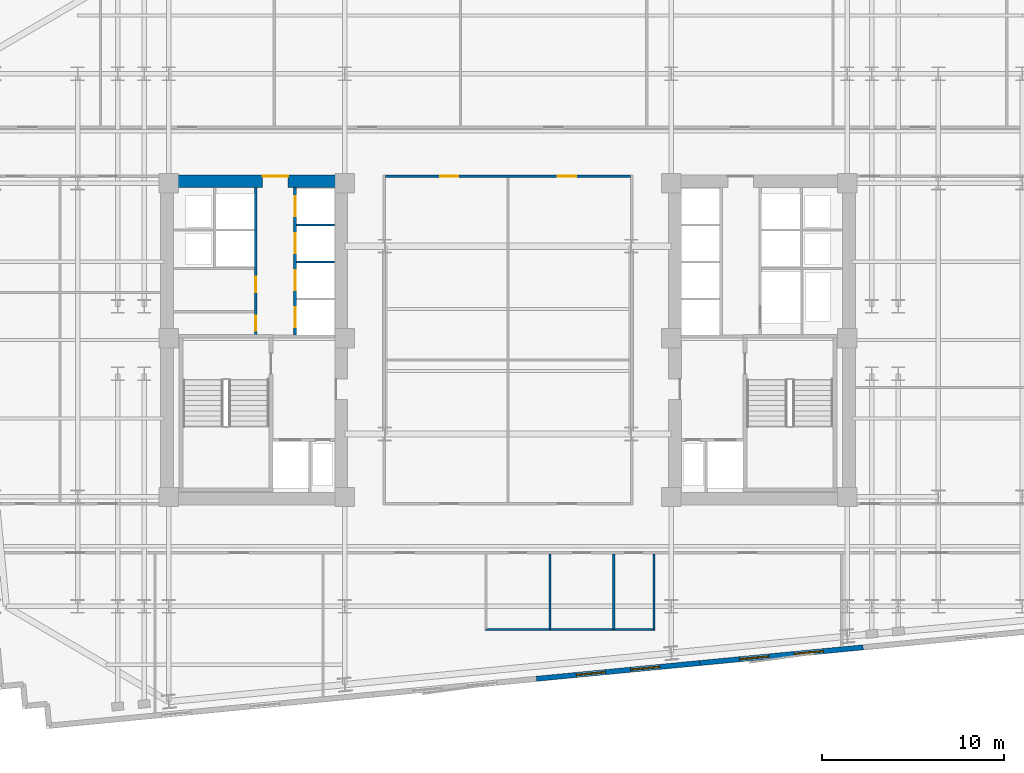
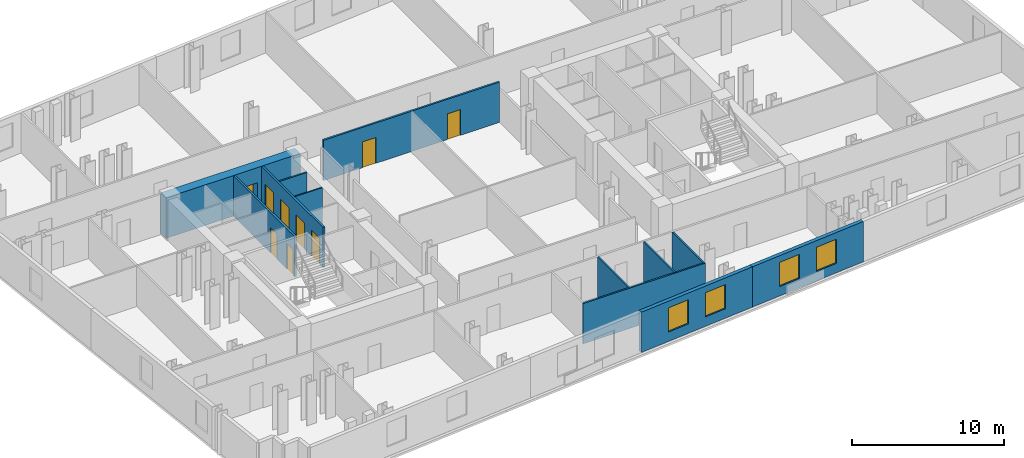
# One storey, part 5 of 11: 12 walls, 9 doors, 4 windows, 13 openings.
"""IFC4 building model written with IfcOpenShell, lengths in metres."""

from ifc_helpers import new_model, si_unit, direction, frame, frame_2d, origin, place, context, subcontext, project, spatial, rectangle, extrude, material, layer, layer_set, type_object, element, fill, save


model = new_model("IFC4")

# Units and contexts
model_context = context("Model", 3, precision=1e-05, world=origin(), true_north=direction((0.0, 1.0)))
body_context = subcontext(model_context, "Body", "Model", "MODEL_VIEW")
ifc_project = project(units=[si_unit("LENGTHUNIT", "METRE"), si_unit("AREAUNIT", "SQUARE_METRE"), si_unit("VOLUMEUNIT", "CUBIC_METRE"), si_unit("PLANEANGLEUNIT", "RADIAN"), si_unit("MASSUNIT", "GRAM", prefix="KILO")], contexts=[model_context])

# Site, building, storey
site_placement = place(None, origin())
site = spatial("IfcSite", under=ifc_project, at=site_placement, CompositionType="ELEMENT")
building_placement = place(site_placement, origin())
building = spatial("IfcBuilding", under=site, at=building_placement, Name="Velakula Bourse", CompositionType="ELEMENT")
storey_placement = place(building_placement, frame((0.0, 0.0, 101.800048828125)))
storey = spatial("IfcBuildingStorey", under=building, at=storey_placement, Name="L27", CompositionType="ELEMENT", Elevation=101.800048828125)

# Wall, opening, door
ifc_material_1 = material(Name="Concrete M70 (fck 70 MPa)", Category="concrete")
ifc_layer_1 = layer(ifc_material_1, 0.699951171875, Name="Concrete M70 (fck 70 MPa)", Category="concrete")
ifc_layer_set_1 = layer_set([ifc_layer_1], Name="Concrete M70 (fck 70 MPa)")
wall_type_1 = type_object("IfcWallType", Name="WL-CORE-700", PredefinedType="SHEAR", material=ifc_layer_set_1)
wall_1_placement = place(storey_placement, frame((-19.050048828125, 8.699951171875, 0.0), z_axis=(0.0, 0.0, 1.0), x_axis=(1.0, 0.0, 0.0)))
wall_1 = element("IfcWall", 1, at=wall_1_placement, inside=storey, type_object=wall_type_1, Name="L27 Core W Shear Wall N", PredefinedType="SHEAR", context=body_context, shape_type="SweptSolid", body=[
    extrude(rectangle(XDim=10.25, YDim=0.699951171875, at=frame_2d((5.125, 0.0))), origin(), (0.0, 0.0, 1.0), 3.27001953125),
])
opening_1_placement = place(wall_1_placement, frame((5.60009765625, 0.0, 0.0)))
opening_1 = element("IfcOpeningElement", 2, at=opening_1_placement, cuts=wall_1, Name="Opening D-LLW", PredefinedType="OPENING", context=body_context, shape_type="SweptSolid", body=[
    extrude(rectangle(XDim=1.39990234375, YDim=2.050048828125, at=frame_2d((0.699951171875, 1.02490234375))), frame((0.0, 0.35986328125, 0.0), z_axis=(0.0, -1.0, 0.0), x_axis=(1.0, 0.0, 0.0)), (0.0, 0.0, 1.0), 0.719970703125),
])
ifc_material_2 = material(Name="Fire-rated hardwood flush architectural door", Category="wood")
door_type_1 = type_object("IfcDoorType", Name="DR-DBL-FD60-1400", OperationType="DOUBLE_DOOR_SINGLE_SWING", PredefinedType="DOOR", material=ifc_material_2)
door_1_placement = place(opening_1_placement, origin())
door_1 = element("IfcDoor", 3, at=door_1_placement, inside=storey, type_object=door_type_1, Name="L27 Core W Lift Lobby Corridor Double Door", OperationType="DOUBLE_DOOR_SINGLE_SWING", OverallHeight=2.050048828125, OverallWidth=1.39990234375, PredefinedType="DOOR", context=body_context, shape_type="SweptSolid", body=[
    extrude(rectangle(XDim=1.39990234375, YDim=2.050048828125, at=frame_2d((0.699951171875, 1.02490234375))), frame((0.0, 0.294921875, 0.0), z_axis=(0.0, -1.0, 0.0), x_axis=(1.0, 0.0, 0.0)), (0.0, 0.0, 1.0), 0.050048828125),
])
fill(opening_1, door_1)

# Wall, openings, windows
ifc_material_3 = material(Name="Red kilned clay facing brick masonry", Category="masonry")
ifc_layer_2 = layer(ifc_material_3, 0.280029296875, Name="Red kilned clay facing brick masonry", Category="masonry")
ifc_layer_set_2 = layer_set([ifc_layer_2], Name="Red kilned clay facing brick masonry")
wall_type_2 = type_object("IfcWallType", Name="WL-EXT-BRK-280", PredefinedType="STANDARD", material=ifc_layer_set_2)
wall_2_placement = place(storey_placement, frame((10.51513671875, -17.7109375, 0.0), z_axis=(0.0, 0.0, 1.0), x_axis=(-0.995397043619, -0.095836973841, 0.0)))
wall_2 = element("IfcWall", 4, at=wall_2_placement, inside=storey, type_object=wall_type_2, Name="L27 S Brick Spandrel Wall B3", PredefinedType="STANDARD", context=body_context, shape_type="SweptSolid", body=[
    extrude(rectangle(XDim=9.000244140625, YDim=0.280029296875, at=frame_2d((4.5, 0.0))), origin(), (0.0, 0.0, 1.0), 3.25),
])
opening_2_placement = place(wall_2_placement, frame((2.199951171875, 0.0, 0.760009765625)))
opening_2 = element("IfcOpeningElement", 5, at=opening_2_placement, cuts=wall_2, Name="Opening W-02", PredefinedType="OPENING", context=body_context, shape_type="SweptSolid", body=[
    extrude(rectangle(XDim=1.60009765625, YDim=1.949951171875, at=frame_2d((0.800048828125, 0.97509765625))), frame((0.0, 0.14990234375, 0.0), z_axis=(0.0, -1.0, 0.0), x_axis=(1.0, 0.0, 0.0)), (0.0, 0.0, 1.0), 0.300048828125),
])
opening_3_placement = place(wall_2_placement, frame((5.199951171875, 0.0, 0.760009765625)))
opening_3 = element("IfcOpeningElement", 6, at=opening_3_placement, cuts=wall_2, Name="Opening W-02", PredefinedType="OPENING", context=body_context, shape_type="SweptSolid", body=[
    extrude(rectangle(XDim=1.60009765625, YDim=1.949951171875, at=frame_2d((0.800048828125, 0.97509765625))), frame((0.0, 0.14990234375, 0.0), z_axis=(0.0, -1.0, 0.0), x_axis=(1.0, 0.0, 0.0)), (0.0, 0.0, 1.0), 0.300048828125),
])
ifc_material_4 = material(Name="Double-glazed solar-control Low-E glass", Category="glass")
window_type = type_object("IfcWindowType", Name="WIN-TWR-1600x2100", PartitioningType="SINGLE_PANEL", PredefinedType="WINDOW", material=ifc_material_4)
window_1_placement = place(opening_2_placement, origin())
window_1 = element("IfcWindow", 7, at=window_1_placement, inside=storey, type_object=window_type, Name="L27 Deep-Set Recessed Window 1", OverallHeight=1.949951171875, OverallWidth=1.60009765625, PartitioningType="SINGLE_PANEL", PredefinedType="WINDOW", context=body_context, shape_type="SweptSolid", body=[
    extrude(rectangle(XDim=1.60009765625, YDim=1.949951171875, at=frame_2d((0.800048828125, 0.97509765625))), frame((0.0, 0.030029296875, 0.0), z_axis=(0.0, -1.0, 0.0), x_axis=(1.0, 0.0, 0.0)), (0.0, 0.0, 1.0), 0.06005859375),
])
fill(opening_2, window_1)
window_2_placement = place(opening_3_placement, origin())
window_2 = element("IfcWindow", 8, at=window_2_placement, inside=storey, type_object=window_type, Name="L27 Deep-Set Recessed Window 2", OverallHeight=1.949951171875, OverallWidth=1.60009765625, PartitioningType="SINGLE_PANEL", PredefinedType="WINDOW", context=body_context, shape_type="SweptSolid", body=[
    extrude(rectangle(XDim=1.60009765625, YDim=1.949951171875, at=frame_2d((0.800048828125, 0.97509765625))), frame((0.0, 0.030029296875, 0.0), z_axis=(0.0, -1.0, 0.0), x_axis=(1.0, 0.0, 0.0)), (0.0, 0.0, 1.0), 0.06005859375),
])
fill(opening_3, window_2)

wall_3_placement = place(storey_placement, frame((19.4736328125, -16.848388671875, 0.0), z_axis=(0.0, 0.0, 1.0), x_axis=(-0.995396794462, -0.09583956164, 0.0)))
wall_3 = element("IfcWall", 9, at=wall_3_placement, inside=storey, type_object=wall_type_2, Name="L27 S Brick Spandrel Wall B4", PredefinedType="STANDARD", context=body_context, shape_type="SweptSolid", body=[
    extrude(rectangle(XDim=9.0, YDim=0.280029296875, at=frame_2d((4.5, 0.0))), origin(), (0.0, 0.0, 1.0), 3.25),
])
opening_4_placement = place(wall_3_placement, frame((2.199951171875, 0.0, 0.760009765625)))
opening_4 = element("IfcOpeningElement", 10, at=opening_4_placement, cuts=wall_3, Name="Opening W-02", PredefinedType="OPENING", context=body_context, shape_type="SweptSolid", body=[
    extrude(rectangle(XDim=1.60009765625, YDim=1.949951171875, at=frame_2d((0.800048828125, 0.97509765625))), frame((0.0, 0.14990234375, 0.0), z_axis=(0.0, -1.0, 0.0), x_axis=(1.0, 0.0, 0.0)), (0.0, 0.0, 1.0), 0.300048828125),
])
opening_5_placement = place(wall_3_placement, frame((5.199951171875, 0.0, 0.760009765625)))
opening_5 = element("IfcOpeningElement", 11, at=opening_5_placement, cuts=wall_3, Name="Opening W-02", PredefinedType="OPENING", context=body_context, shape_type="SweptSolid", body=[
    extrude(rectangle(XDim=1.60009765625, YDim=1.949951171875, at=frame_2d((0.800048828125, 0.97509765625))), frame((0.0, 0.14990234375, 0.0), z_axis=(0.0, -1.0, 0.0), x_axis=(1.0, 0.0, 0.0)), (0.0, 0.0, 1.0), 0.300048828125),
])
window_3_placement = place(opening_4_placement, origin())
window_3 = element("IfcWindow", 12, at=window_3_placement, inside=storey, type_object=window_type, Name="L27 Deep-Set Recessed Window 1", OverallHeight=1.949951171875, OverallWidth=1.60009765625, PartitioningType="SINGLE_PANEL", PredefinedType="WINDOW", context=body_context, shape_type="SweptSolid", body=[
    extrude(rectangle(XDim=1.60009765625, YDim=1.949951171875, at=frame_2d((0.800048828125, 0.97509765625))), frame((0.0, 0.030029296875, 0.0), z_axis=(0.0, -1.0, 0.0), x_axis=(1.0, 0.0, 0.0)), (0.0, 0.0, 1.0), 0.06005859375),
])
fill(opening_4, window_3)
window_4_placement = place(opening_5_placement, origin())
window_4 = element("IfcWindow", 13, at=window_4_placement, inside=storey, type_object=window_type, Name="L27 Deep-Set Recessed Window 2", OverallHeight=1.949951171875, OverallWidth=1.60009765625, PartitioningType="SINGLE_PANEL", PredefinedType="WINDOW", context=body_context, shape_type="SweptSolid", body=[
    extrude(rectangle(XDim=1.60009765625, YDim=1.949951171875, at=frame_2d((0.800048828125, 0.97509765625))), frame((0.0, 0.030029296875, 0.0), z_axis=(0.0, -1.0, 0.0), x_axis=(1.0, 0.0, 0.0)), (0.0, 0.0, 1.0), 0.06005859375),
])
fill(opening_5, window_4)

# Walls
ifc_material_5 = material(Name="Fire-rated double-layer gypsum drywall partition", Category="gypsum")
ifc_layer_3 = layer(ifc_material_5, 0.1201171875, Name="Fire-rated double-layer gypsum drywall partition", Category="gypsum")
ifc_layer_set_3 = layer_set([ifc_layer_3], Name="Fire-rated double-layer gypsum drywall partition")
wall_type_3 = type_object("IfcWallType", Name="WL-PART-120", PredefinedType="STANDARD", material=ifc_layer_set_3)
for number, where, z_axis, x_axis, name in (
    (14, (-11.60009765625, 4.284912109375, 0.0), (0.0, 0.0, 1.0), (1.0, 0.0, 0.0), "L27 Interior Partition WL-CRW-L27-BDIV-1"),
    (15, (-11.60009765625, 6.31494140625, 0.0), (0.0, 0.0, 1.0), (1.0, 0.0, 0.0), "L27 Interior Partition WL-CRW-L27-BDIV-2"),
):
    element("IfcWall", number, at=place(storey_placement, frame(where, z_axis=z_axis, x_axis=x_axis)), inside=storey, type_object=wall_type_3, Name=name, PredefinedType="STANDARD", context=body_context, shape_type="SweptSolid", body=[
        extrude(rectangle(XDim=2.10009765625, YDim=0.110107421875, at=frame_2d((1.050048828125, 0.0))), origin(), (0.0, 0.0, 1.0), 3.25),
    ])
wall_4_placement = place(storey_placement, frame((-1.260009765625, -15.8701171875, 0.0), z_axis=(0.0, 0.0, 1.0), x_axis=(1.0, 0.0, 0.0)))
element("IfcWall", 16, at=wall_4_placement, inside=storey, type_object=wall_type_3, Name="L27 Interior Partition WL-WC-L27-BACK", PredefinedType="STANDARD", context=body_context, shape_type="SweptSolid", body=[
    extrude(rectangle(XDim=9.320068359375, YDim=0.1201171875, at=frame_2d((4.66015625, 0.0))), origin(), (0.0, 0.0, 1.0), 3.25),
])
for number, where, z_axis, x_axis, name in (
    (17, (2.300048828125, -15.8701171875, 0.0), (0.0, 0.0, 1.0), (0.0, 1.0, 0.0), "L27 Interior Partition WL-WC-L27-V2"),
    (18, (5.800048828125, -15.8701171875, 0.0), (0.0, 0.0, 1.0), (0.0, 1.0, 0.0), "L27 Interior Partition WL-WC-L27-V3"),
    (19, (8.0, -15.8701171875, 0.0), (0.0, 0.0, 1.0), (0.0, 1.0, 0.0), "L27 Interior Partition WL-WC-L27-V4"),
):
    element("IfcWall", number, at=place(storey_placement, frame(where, z_axis=z_axis, x_axis=x_axis)), inside=storey, type_object=wall_type_3, Name=name, PredefinedType="STANDARD", context=body_context, shape_type="SweptSolid", body=[
        extrude(rectangle(XDim=4.130126953125, YDim=0.1201171875, at=frame_2d((2.06494140625, 0.0))), origin(), (0.0, 0.0, 1.0), 3.25),
    ])

# Wall, openings, doors
ifc_layer_4 = layer(ifc_material_5, 0.139892578125, Name="Fire-rated double-layer gypsum drywall partition", Category="gypsum")
ifc_layer_set_4 = layer_set([ifc_layer_4], Name="Fire-rated double-layer gypsum drywall partition")
wall_type_4 = type_object("IfcWallType", Name="WL-PART-140", PredefinedType="STANDARD", material=ifc_layer_set_4)
wall_5_placement = place(storey_placement, frame((-6.7099609375, 8.97998046875, 0.0), z_axis=(0.0, 0.0, 1.0), x_axis=(1.0, 0.0, 0.0)))
wall_5 = element("IfcWall", 20, at=wall_5_placement, inside=storey, type_object=wall_type_4, Name="L27 Interior Partition WL-INT-L27-MID-N", PredefinedType="STANDARD", context=body_context, shape_type="SweptSolid", body=[
    extrude(rectangle(XDim=13.419921875, YDim=0.139892578125, at=frame_2d((6.7099609375, 0.0))), origin(), (0.0, 0.0, 1.0), 3.25),
])
opening_6_placement = place(wall_5_placement, frame((2.98095703125, 0.0, 0.0)))
opening_6 = element("IfcOpeningElement", 21, at=opening_6_placement, cuts=wall_5, Name="Opening D-OF1", PredefinedType="OPENING", context=body_context, shape_type="SweptSolid", body=[
    extrude(rectangle(XDim=1.0, YDim=2.080078125, at=frame_2d((0.5, 1.0400390625))), frame((0.0, 0.079833984375, 0.0), z_axis=(0.0, -1.0, 0.0), x_axis=(1.0, 0.0, 0.0)), (0.0, 0.0, 1.0), 0.159912109375),
])
opening_7_placement = place(wall_5_placement, frame((9.43896484375, 0.0, 0.0)))
opening_7 = element("IfcOpeningElement", 22, at=opening_7_placement, cuts=wall_5, Name="Opening D-OF1", PredefinedType="OPENING", context=body_context, shape_type="SweptSolid", body=[
    extrude(rectangle(XDim=1.0, YDim=2.080078125, at=frame_2d((0.5, 1.0400390625))), frame((0.0, 0.079833984375, 0.0), z_axis=(0.0, -1.0, 0.0), x_axis=(1.0, 0.0, 0.0)), (0.0, 0.0, 1.0), 0.159912109375),
])
door_type_2 = type_object("IfcDoorType", Name="DR-OFF-1000", OperationType="NOTDEFINED", PredefinedType="DOOR", material=ifc_material_2)
door_2_placement = place(opening_6_placement, origin())
door_2 = element("IfcDoor", 23, at=door_2_placement, inside=storey, type_object=door_type_2, Name="L27 Exchange Governance Office NW Door", OperationType="SINGLE_SWING_LEFT", OverallHeight=2.080078125, OverallWidth=1.0, PredefinedType="DOOR", context=body_context, shape_type="SweptSolid", body=[
    extrude(rectangle(XDim=1.0, YDim=2.080078125, at=frame_2d((0.5, 1.0400390625))), frame((0.0, 0.02490234375, 0.0), z_axis=(0.0, -1.0, 0.0), x_axis=(1.0, 0.0, 0.0)), (0.0, 0.0, 1.0), 0.050048828125),
])
fill(opening_6, door_2)
door_3_placement = place(opening_7_placement, origin())
door_3 = element("IfcDoor", 24, at=door_3_placement, inside=storey, type_object=door_type_2, Name="L27 Exchange Governance Office NE Door", OperationType="SINGLE_SWING_RIGHT", OverallHeight=2.080078125, OverallWidth=1.0, PredefinedType="DOOR", context=body_context, shape_type="SweptSolid", body=[
    extrude(rectangle(XDim=1.0, YDim=2.080078125, at=frame_2d((0.5, 1.0400390625))), frame((0.0, 0.02490234375, 0.0), z_axis=(0.0, -1.0, 0.0), x_axis=(1.0, 0.0, 0.0)), (0.0, 0.0, 1.0), 0.050048828125),
])
fill(opening_7, door_3)

ifc_material_6 = material(Name="Autoclaved aerated concrete blockwork masonry", Category="masonry")
ifc_layer_5 = layer(ifc_material_6, 0.14990234375, Name="Autoclaved aerated concrete blockwork masonry", Category="masonry")
ifc_layer_set_5 = layer_set([ifc_layer_5], Name="Autoclaved aerated concrete blockwork masonry")
wall_type_5 = type_object("IfcWallType", Name="WL-SHAFT-150", PredefinedType="STANDARD", material=ifc_layer_set_5)
wall_6_placement = place(storey_placement, frame((-11.675048828125, 0.27001953125, 0.0), z_axis=(0.0, 0.0, 1.0), x_axis=(0.0, 1.0, 0.0)))
wall_6 = element("IfcWall", 25, at=wall_6_placement, inside=storey, type_object=wall_type_5, Name="L27 Interior Partition WL-CRW-L27-BANK-F", PredefinedType="STANDARD", context=body_context, shape_type="SweptSolid", body=[
    extrude(rectangle(XDim=8.080078125, YDim=0.14990234375, at=frame_2d((4.0400390625, 0.0))), origin(), (0.0, 0.0, 1.0), 3.25),
])
opening_8_placement = place(wall_6_placement, frame((0.419921875, 0.0, 0.0)))
opening_8 = element("IfcOpeningElement", 26, at=opening_8_placement, cuts=wall_6, Name="Opening LD-P1", PredefinedType="OPENING", context=body_context, shape_type="SweptSolid", body=[
    extrude(rectangle(XDim=1.10009765625, YDim=2.10009765625, at=frame_2d((0.550048828125, 1.050048828125))), frame((0.0, 0.0849609375, 0.0), z_axis=(0.0, -1.0, 0.0), x_axis=(1.0, 0.0, 0.0)), (0.0, 0.0, 1.0), 0.169921875),
])
opening_9_placement = place(wall_6_placement, frame((2.449951171875, 0.0, 0.0)))
opening_9 = element("IfcOpeningElement", 27, at=opening_9_placement, cuts=wall_6, Name="Opening LD-P2", PredefinedType="OPENING", context=body_context, shape_type="SweptSolid", body=[
    extrude(rectangle(XDim=1.10009765625, YDim=2.10009765625, at=frame_2d((0.550048828125, 1.050048828125))), frame((0.0, 0.0849609375, 0.0), z_axis=(0.0, -1.0, 0.0), x_axis=(1.0, 0.0, 0.0)), (0.0, 0.0, 1.0), 0.169921875),
])
opening_10_placement = place(wall_6_placement, frame((4.47998046875, 0.0, 0.0)))
opening_10 = element("IfcOpeningElement", 28, at=opening_10_placement, cuts=wall_6, Name="Opening LD-P3", PredefinedType="OPENING", context=body_context, shape_type="SweptSolid", body=[
    extrude(rectangle(XDim=1.10009765625, YDim=2.10009765625, at=frame_2d((0.550048828125, 1.050048828125))), frame((0.0, 0.0849609375, 0.0), z_axis=(0.0, -1.0, 0.0), x_axis=(1.0, 0.0, 0.0)), (0.0, 0.0, 1.0), 0.169921875),
])
opening_11_placement = place(wall_6_placement, frame((6.510009765625, 0.0, 0.0)))
opening_11 = element("IfcOpeningElement", 29, at=opening_11_placement, cuts=wall_6, Name="Opening LD-P4", PredefinedType="OPENING", context=body_context, shape_type="SweptSolid", body=[
    extrude(rectangle(XDim=1.10009765625, YDim=2.10009765625, at=frame_2d((0.550048828125, 1.050048828125))), frame((0.0, 0.0849609375, 0.0), z_axis=(0.0, -1.0, 0.0), x_axis=(1.0, 0.0, 0.0)), (0.0, 0.0, 1.0), 0.169921875),
])
ifc_material_7 = material(Name="Brushed grade 316 stainless steel", Category="steel")
door_type_3 = type_object("IfcDoorType", Name="DR-SLIDE-LD-1100", OperationType="DOUBLE_DOOR_SLIDING", PredefinedType="DOOR", material=ifc_material_7)
door_4_placement = place(opening_8_placement, origin())
door_4 = element("IfcDoor", 30, at=door_4_placement, inside=storey, type_object=door_type_3, Name="L27 Passenger Lift P1 Sliding Landing Door", OperationType="DOUBLE_DOOR_SLIDING", OverallHeight=2.10009765625, OverallWidth=1.10009765625, PredefinedType="DOOR", context=body_context, shape_type="SweptSolid", body=[
    extrude(rectangle(XDim=1.10009765625, YDim=2.10009765625, at=frame_2d((0.550048828125, 1.050048828125))), frame((0.0, 0.02490234375, 0.0), z_axis=(0.0, -1.0, 0.0), x_axis=(1.0, 0.0, 0.0)), (0.0, 0.0, 1.0), 0.050048828125),
])
fill(opening_8, door_4)
door_5_placement = place(opening_9_placement, origin())
door_5 = element("IfcDoor", 31, at=door_5_placement, inside=storey, type_object=door_type_3, Name="L27 Passenger Lift P2 Sliding Landing Door", OperationType="DOUBLE_DOOR_SLIDING", OverallHeight=2.10009765625, OverallWidth=1.10009765625, PredefinedType="DOOR", context=body_context, shape_type="SweptSolid", body=[
    extrude(rectangle(XDim=1.10009765625, YDim=2.10009765625, at=frame_2d((0.550048828125, 1.050048828125))), frame((0.0, 0.02490234375, 0.0), z_axis=(0.0, -1.0, 0.0), x_axis=(1.0, 0.0, 0.0)), (0.0, 0.0, 1.0), 0.050048828125),
])
fill(opening_9, door_5)
door_6_placement = place(opening_10_placement, origin())
door_6 = element("IfcDoor", 32, at=door_6_placement, inside=storey, type_object=door_type_3, Name="L27 Passenger Lift P3 Sliding Landing Door", OperationType="DOUBLE_DOOR_SLIDING", OverallHeight=2.10009765625, OverallWidth=1.10009765625, PredefinedType="DOOR", context=body_context, shape_type="SweptSolid", body=[
    extrude(rectangle(XDim=1.10009765625, YDim=2.10009765625, at=frame_2d((0.550048828125, 1.050048828125))), frame((0.0, 0.02490234375, 0.0), z_axis=(0.0, -1.0, 0.0), x_axis=(1.0, 0.0, 0.0)), (0.0, 0.0, 1.0), 0.050048828125),
])
fill(opening_10, door_6)
door_7_placement = place(opening_11_placement, origin())
door_7 = element("IfcDoor", 33, at=door_7_placement, inside=storey, type_object=door_type_3, Name="L27 Passenger Lift P4 Sliding Landing Door", OperationType="DOUBLE_DOOR_SLIDING", OverallHeight=2.10009765625, OverallWidth=1.10009765625, PredefinedType="DOOR", context=body_context, shape_type="SweptSolid", body=[
    extrude(rectangle(XDim=1.10009765625, YDim=2.10009765625, at=frame_2d((0.550048828125, 1.050048828125))), frame((0.0, 0.02490234375, 0.0), z_axis=(0.0, -1.0, 0.0), x_axis=(1.0, 0.0, 0.0)), (0.0, 0.0, 1.0), 0.050048828125),
])
fill(opening_11, door_7)

wall_7_placement = place(storey_placement, frame((-13.824951171875, 0.27001953125, 0.0), z_axis=(0.0, 0.0, 1.0), x_axis=(0.0, 1.0, 0.0)))
wall_7 = element("IfcWall", 34, at=wall_7_placement, inside=storey, type_object=wall_type_5, Name="L27 Interior Partition WL-CRW-L27-OUT-F", PredefinedType="STANDARD", context=body_context, shape_type="SweptSolid", body=[
    extrude(rectangle(XDim=8.080078125, YDim=0.14990234375, at=frame_2d((4.0400390625, 0.0))), origin(), (0.0, 0.0, 1.0), 3.25),
])
opening_12_placement = place(wall_7_placement, frame((0.25, 0.0, 0.0)))
opening_12 = element("IfcOpeningElement", 35, at=opening_12_placement, cuts=wall_7, Name="Opening D-CS1", PredefinedType="OPENING", context=body_context, shape_type="SweptSolid", body=[
    extrude(rectangle(XDim=0.800048828125, YDim=2.050048828125, at=frame_2d((0.39990234375, 1.02490234375))), frame((0.0, 0.0849609375, 0.0), z_axis=(0.0, -1.0, 0.0), x_axis=(1.0, 0.0, 0.0)), (0.0, 0.0, 1.0), 0.169921875),
])
opening_13_placement = place(wall_7_placement, frame((2.35009765625, 0.0, 0.0)))
opening_13 = element("IfcOpeningElement", 36, at=opening_13_placement, cuts=wall_7, Name="Opening D-CW1", PredefinedType="OPENING", context=body_context, shape_type="SweptSolid", body=[
    extrude(rectangle(XDim=0.85009765625, YDim=2.050048828125, at=frame_2d((0.425048828125, 1.02490234375))), frame((0.0, 0.0849609375, 0.0), z_axis=(0.0, -1.0, 0.0), x_axis=(1.0, 0.0, 0.0)), (0.0, 0.0, 1.0), 0.169921875),
])
door_type_4 = type_object("IfcDoorType", Name="DR-INT-850", OperationType="NOTDEFINED", PredefinedType="DOOR", material=ifc_material_2)
door_8_placement = place(opening_13_placement, origin())
door_8 = element("IfcDoor", 37, at=door_8_placement, inside=storey, type_object=door_type_4, Name="L27 Core Janitor Closet Door", OperationType="SINGLE_SWING_RIGHT", OverallHeight=2.050048828125, OverallWidth=0.85009765625, PredefinedType="DOOR", context=body_context, shape_type="SweptSolid", body=[
    extrude(rectangle(XDim=0.85009765625, YDim=2.050048828125, at=frame_2d((0.425048828125, 1.02490234375))), frame((0.0, 0.02490234375, 0.0), z_axis=(0.0, -1.0, 0.0), x_axis=(1.0, 0.0, 0.0)), (0.0, 0.0, 1.0), 0.050048828125),
])
fill(opening_13, door_8)
ifc_material_8 = material(Name="Galvanised painted hollow steel fire door", Category="steel")
door_type_5 = type_object("IfcDoorType", Name="DR-RISER-800x2050", OperationType="NOTDEFINED", PredefinedType="DOOR", material=ifc_material_8)
door_9_placement = place(opening_12_placement, origin())
door_9 = element("IfcDoor", 38, at=door_9_placement, inside=storey, type_object=door_type_5, Name="L27 Core Cleaner Store Door", OperationType="SINGLE_SWING_LEFT", OverallHeight=2.050048828125, OverallWidth=0.800048828125, PredefinedType="DOOR", context=body_context, shape_type="SweptSolid", body=[
    extrude(rectangle(XDim=0.800048828125, YDim=2.050048828125, at=frame_2d((0.39990234375, 1.02490234375))), frame((0.0, 0.02490234375, 0.0), z_axis=(0.0, -1.0, 0.0), x_axis=(1.0, 0.0, 0.0)), (0.0, 0.0, 1.0), 0.050048828125),
])
fill(opening_12, door_9)

save(model, "model.ifc")
